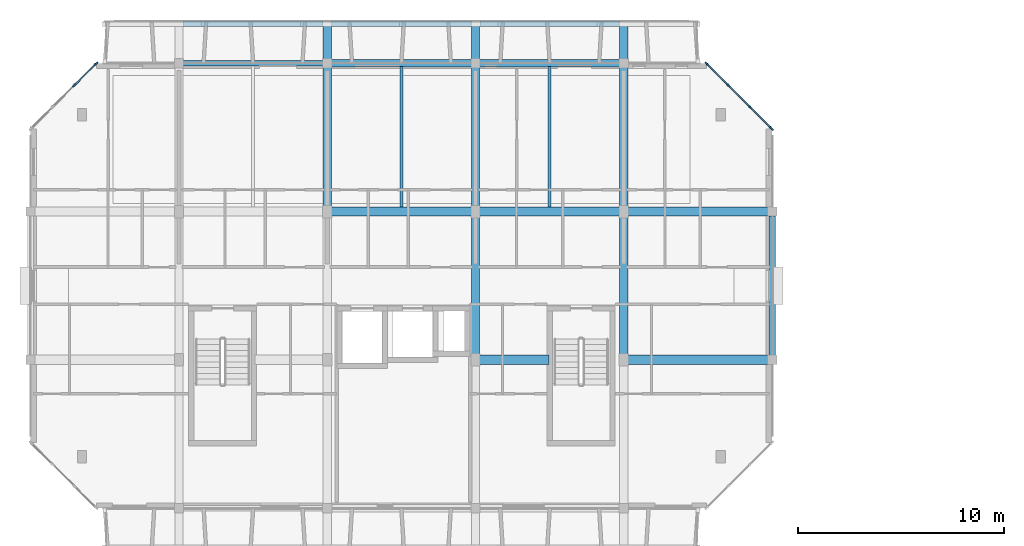
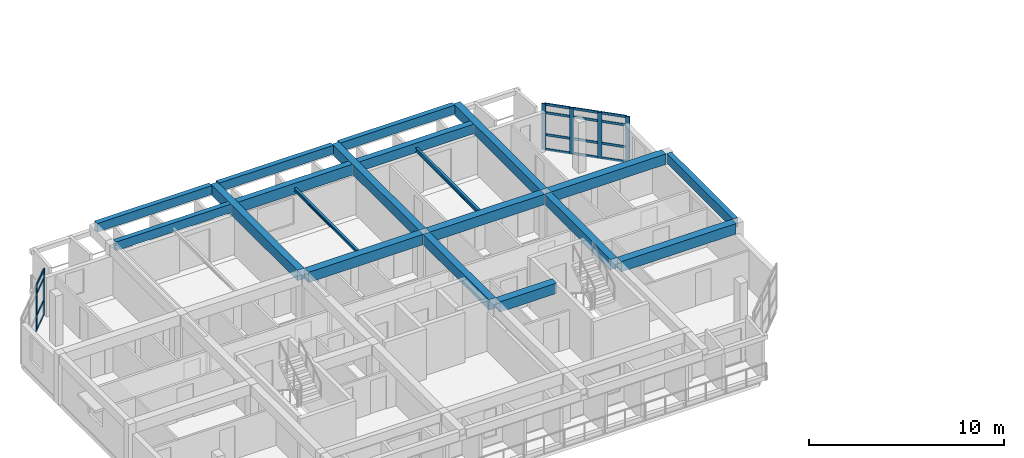
# One storey, part 9 of 43: 22 members, 19 beams, 2 elements without a shape of their own.
"""IFC4 building model written with IfcOpenShell, lengths in metres."""

from ifc_helpers import new_model, si_unit, direction, frame, origin, origin_2d, place, context, subcontext, project, spatial, rectangle, i_section, extrude, material, layer, layer_set, material_profile, profile_set, type_object, element, aggregate, save


model = new_model("IFC4")

# Units and contexts
model_context = context("Model", 3, precision=1e-05, world=origin(), true_north=direction((0.0, 1.0)))
body_context = subcontext(model_context, "Body", "Model", "MODEL_VIEW")
ifc_project = project(units=[si_unit("LENGTHUNIT", "METRE"), si_unit("AREAUNIT", "SQUARE_METRE"), si_unit("VOLUMEUNIT", "CUBIC_METRE"), si_unit("PLANEANGLEUNIT", "RADIAN"), si_unit("MASSUNIT", "GRAM", prefix="KILO")], contexts=[model_context])

# Site, building, storey
site_placement = place(None, origin())
site = spatial("IfcSite", under=ifc_project, at=site_placement, CompositionType="ELEMENT")
building_placement = place(site_placement, origin())
building = spatial("IfcBuilding", under=site, at=building_placement, Name="Ochrevale Crest", CompositionType="ELEMENT")
storey_placement = place(building_placement, frame((0.0, 0.0, 30.75)))
storey = spatial("IfcBuildingStorey", under=building, at=storey_placement, Name="L09", CompositionType="ELEMENT", Elevation=30.75)

# Beams
ifc_material_1 = material(Name="Precast concrete C50/60", Category="concrete")
ifc_material_profile_1 = material_profile(ifc_material_1, rectangle(XDim=0.39990234375, YDim=0.64990234375, at=origin_2d()), Name="PC 400x650")
ifc_profile_set_1 = profile_set([ifc_material_profile_1], Name="Precast concrete C50/60")
beam_type_1 = type_object("IfcBeamType", Name="BM-PC400x650", PredefinedType="BEAM", material=ifc_profile_set_1)
beam_1_placement = place(storey_placement, frame((14.39990234375, 86.60498046875, 2.824951171875), z_axis=(0.0, 1.0, 0.0), x_axis=(-1.0, 0.0, 0.0)))
element("IfcBeam", 1, at=beam_1_placement, inside=storey, type_object=beam_type_1, Name="Block B L09 N-S beam X=14.4", PredefinedType="BEAM", context=body_context, shape_type="SweptSolid", body=[
    extrude(rectangle(XDim=0.39990234375, YDim=0.64990234375, at=origin_2d()), origin(), (0.0, 0.0, 1.0), 8.9150390625),
])
beam_2_placement = place(storey_placement, frame((21.60009765625, 79.405029296875, 2.824951171875), z_axis=(0.0, 1.0, 0.0), x_axis=(-1.0, 0.0, 0.0)))
element("IfcBeam", 2, at=beam_2_placement, inside=storey, type_object=beam_type_1, Name="Block B L09 N-S beam X=21.6", PredefinedType="BEAM", context=body_context, shape_type="SweptSolid", body=[
    extrude(rectangle(XDim=0.39990234375, YDim=0.64990234375, at=origin_2d()), origin(), (0.0, 0.0, 1.0), 6.7900390625),
])
beam_3_placement = place(storey_placement, frame((21.60009765625, 86.60498046875, 2.824951171875), z_axis=(0.0, 1.0, 0.0), x_axis=(-1.0, 0.0, 0.0)))
element("IfcBeam", 3, at=beam_3_placement, inside=storey, type_object=beam_type_1, Name="Block B L09 N-S beam X=21.6", PredefinedType="BEAM", context=body_context, shape_type="SweptSolid", body=[
    extrude(rectangle(XDim=0.39990234375, YDim=0.64990234375, at=origin_2d()), origin(), (0.0, 0.0, 1.0), 8.9150390625),
])
beam_4_placement = place(storey_placement, frame((28.800048828125, 79.405029296875, 2.824951171875), z_axis=(0.0, 1.0, 0.0), x_axis=(-1.0, 0.0, 0.0)))
element("IfcBeam", 4, at=beam_4_placement, inside=storey, type_object=beam_type_1, Name="Block B L09 N-S beam X=28.8", PredefinedType="BEAM", context=body_context, shape_type="SweptSolid", body=[
    extrude(rectangle(XDim=0.39990234375, YDim=0.64990234375, at=origin_2d()), origin(), (0.0, 0.0, 1.0), 6.7900390625),
])
beam_5_placement = place(storey_placement, frame((28.800048828125, 86.60498046875, 2.824951171875), z_axis=(0.0, 1.0, 0.0), x_axis=(-1.0, 0.0, 0.0)))
element("IfcBeam", 5, at=beam_5_placement, inside=storey, type_object=beam_type_1, Name="Block B L09 N-S beam X=28.8", PredefinedType="BEAM", context=body_context, shape_type="SweptSolid", body=[
    extrude(rectangle(XDim=0.39990234375, YDim=0.64990234375, at=origin_2d()), origin(), (0.0, 0.0, 1.0), 8.9150390625),
])
ifc_material_2 = material(Name="Concrete C50/60", Category="concrete")
ifc_material_profile_2 = material_profile(ifc_material_2, rectangle(XDim=0.449951171875, YDim=0.64990234375, at=origin_2d()), Name="RC 450x650")
ifc_profile_set_2 = profile_set([ifc_material_profile_2], Name="Concrete C50/60")
beam_type_2 = type_object("IfcBeamType", Name="BM-PG450x650", PredefinedType="USERDEFINED", material=ifc_profile_set_2)
beam_6_placement = place(storey_placement, frame((21.800048828125, 79.199951171875, 2.824951171875), z_axis=(1.0, 0.0, 0.0), x_axis=(0.0, 1.0, 0.0)))
element("IfcBeam", 6, at=beam_6_placement, inside=storey, type_object=beam_type_2, Name="Block B L09 E-W beam Y=79.2", ObjectType="GIRDER", PredefinedType="USERDEFINED", context=body_context, shape_type="SweptSolid", body=[
    extrude(rectangle(XDim=0.449951171875, YDim=0.64990234375, at=origin_2d()), origin(), (0.0, 0.0, 1.0), 3.35986328125),
])
beam_7_placement = place(storey_placement, frame((29.0, 79.199951171875, 2.824951171875), z_axis=(1.0, 0.0, 0.0), x_axis=(0.0, 1.0, 0.0)))
element("IfcBeam", 7, at=beam_7_placement, inside=storey, type_object=beam_type_2, Name="Block B L09 E-W beam Y=79.2", ObjectType="GIRDER", PredefinedType="USERDEFINED", context=body_context, shape_type="SweptSolid", body=[
    extrude(rectangle(XDim=0.449951171875, YDim=0.64990234375, at=origin_2d()), origin(), (0.0, 0.0, 1.0), 6.800048828125),
])
beam_8_placement = place(storey_placement, frame((14.60009765625, 86.39990234375, 2.824951171875), z_axis=(1.0, 0.0, 0.0), x_axis=(0.0, 1.0, 0.0)))
element("IfcBeam", 8, at=beam_8_placement, inside=storey, type_object=beam_type_2, Name="Block B L09 E-W beam Y=86.4", ObjectType="GIRDER", PredefinedType="USERDEFINED", context=body_context, shape_type="SweptSolid", body=[
    extrude(rectangle(XDim=0.449951171875, YDim=0.64990234375, at=origin_2d()), origin(), (0.0, 0.0, 1.0), 6.7998046875),
])
for number, where, z_axis, x_axis, name in (
    (9, (21.800048828125, 86.39990234375, 2.824951171875), (1.0, 0.0, 0.0), (0.0, 1.0, 0.0), "Block B L09 E-W beam Y=86.4"),
    (10, (29.0, 86.39990234375, 2.824951171875), (1.0, 0.0, 0.0), (0.0, 1.0, 0.0), "Block B L09 E-W beam Y=86.4"),
):
    element("IfcBeam", number, at=place(storey_placement, frame(where, z_axis=z_axis, x_axis=x_axis)), inside=storey, type_object=beam_type_2, Name=name, ObjectType="GIRDER", PredefinedType="USERDEFINED", context=body_context, shape_type="SweptSolid", body=[
        extrude(rectangle(XDim=0.449951171875, YDim=0.64990234375, at=origin_2d()), origin(), (0.0, 0.0, 1.0), 6.800048828125),
    ])
ifc_material_3 = material(Name="Precast concrete C40/50", Category="concrete")
ifc_material_profile_3 = material_profile(ifc_material_3, rectangle(XDim=0.280029296875, YDim=0.550048828125, at=origin_2d()), Name="PC 280x550")
ifc_profile_set_3 = profile_set([ifc_material_profile_3], Name="Precast concrete C40/50")
beam_type_3 = type_object("IfcBeamType", Name="BM-SP280x550", PredefinedType="SPANDREL", material=ifc_profile_set_3)
beam_9_placement = place(storey_placement, frame((7.39990234375, 93.60009765625, 2.875), z_axis=(1.0, 0.0, 0.0), x_axis=(0.0, 1.0, 0.0)))
element("IfcBeam", 11, at=beam_9_placement, inside=storey, type_object=beam_type_3, Name="Block B L09 E-W beam Y=93.6", PredefinedType="SPANDREL", context=body_context, shape_type="SweptSolid", body=[
    extrude(rectangle(XDim=0.280029296875, YDim=0.550048828125, at=origin_2d()), origin(), (0.0, 0.0, 1.0), 6.800048828125),
])
for number, where, z_axis, x_axis, name in (
    (12, (7.405029296875, 95.52001953125, 2.875), (1.0, 0.0, 0.0), (0.0, 1.0, 0.0), "Block B L09 top-loggia precast ring lintel N-1"),
    (13, (14.60498046875, 95.52001953125, 2.875), (1.0, 0.0, 0.0), (0.0, 1.0, 0.0), "Block B L09 top-loggia precast ring lintel N-2"),
    (14, (21.804931640625, 95.52001953125, 2.875), (1.0, 0.0, 0.0), (0.0, 1.0, 0.0), "Block B L09 top-loggia precast ring lintel N-3"),
):
    element("IfcBeam", number, at=place(storey_placement, frame(where, z_axis=z_axis, x_axis=x_axis)), inside=storey, type_object=beam_type_3, Name=name, PredefinedType="SPANDREL", context=body_context, shape_type="SweptSolid", body=[
        extrude(rectangle(XDim=0.280029296875, YDim=0.550048828125, at=origin_2d()), origin(), (0.0, 0.0, 1.0), 6.7900390625),
    ])
ifc_material_profile_4 = material_profile(ifc_material_3, rectangle(XDim=0.300048828125, YDim=0.60009765625, at=origin_2d()), Name="PC 300x600")
ifc_profile_set_4 = profile_set([ifc_material_profile_4], Name="Precast concrete C40/50")
beam_type_4 = type_object("IfcBeamType", Name="BM-SP300x600", PredefinedType="SPANDREL", material=ifc_profile_set_4)
beam_10_placement = place(storey_placement, frame((36.0, 79.405029296875, 2.85009765625), z_axis=(0.0, 1.0, 0.0), x_axis=(-1.0, 0.0, 0.0)))
element("IfcBeam", 15, at=beam_10_placement, inside=storey, type_object=beam_type_4, Name="Block B L09 N-S beam X=36.0", PredefinedType="SPANDREL", context=body_context, shape_type="SweptSolid", body=[
    extrude(rectangle(XDim=0.300048828125, YDim=0.60009765625, at=origin_2d()), origin(), (0.0, 0.0, 1.0), 6.7900390625),
])
ifc_material_profile_5 = material_profile(ifc_material_3, rectangle(XDim=0.35009765625, YDim=0.60009765625, at=origin_2d()), Name="PC 350x600")
ifc_profile_set_5 = profile_set([ifc_material_profile_5], Name="Precast concrete C40/50")
beam_type_5 = type_object("IfcBeamType", Name="BM-SP350x600", PredefinedType="SPANDREL", material=ifc_profile_set_5)
beam_11_placement = place(storey_placement, frame((21.800048828125, 93.60009765625, 2.85009765625), z_axis=(1.0, 0.0, 0.0), x_axis=(0.0, 1.0, 0.0)))
element("IfcBeam", 16, at=beam_11_placement, inside=storey, type_object=beam_type_5, Name="Block B L09 E-W beam Y=93.6", PredefinedType="SPANDREL", context=body_context, shape_type="SweptSolid", body=[
    extrude(rectangle(XDim=0.35009765625, YDim=0.60009765625, at=origin_2d()), origin(), (0.0, 0.0, 1.0), 6.800048828125),
])
ifc_material_profile_6 = material_profile(ifc_material_3, rectangle(XDim=0.35009765625, YDim=0.679931640625, at=origin_2d()), Name="PC 350x680")
ifc_profile_set_6 = profile_set([ifc_material_profile_6], Name="Precast concrete C40/50")
beam_type_6 = type_object("IfcBeamType", Name="BM-SP350x680", PredefinedType="SPANDREL", material=ifc_profile_set_6)
beam_12_placement = place(storey_placement, frame((14.60009765625, 93.60009765625, 2.81005859375), z_axis=(1.0, 0.0, 0.0), x_axis=(0.0, 1.0, 0.0)))
element("IfcBeam", 17, at=beam_12_placement, inside=storey, type_object=beam_type_6, Name="Block B L09 E-W beam Y=93.6", PredefinedType="SPANDREL", context=body_context, shape_type="SweptSolid", body=[
    extrude(rectangle(XDim=0.35009765625, YDim=0.679931640625, at=origin_2d()), origin(), (0.0, 0.0, 1.0), 6.7998046875),
])
ifc_material_4 = material(Name="Steel S355", Category="steel")
ifc_material_profile_7 = material_profile(ifc_material_4, i_section(OverallWidth=0.134033203125, OverallDepth=0.20703125, WebThickness=0.00634765625, FlangeThickness=0.009521484375, FilletRadius=0.0087890625, at=origin_2d()), Name="200UB29.8")
ifc_profile_set_7 = profile_set([ifc_material_profile_7], Name="Steel S355")
beam_type_7 = type_object("IfcBeamType", Name="BM-UB200B", PredefinedType="JOIST", material=ifc_profile_set_7)
beam_13_placement = place(storey_placement, frame((18.0, 86.613037109375, 2.771484375), z_axis=(0.0, 1.0, 0.0), x_axis=(-1.0, 0.0, 0.0)))
element("IfcBeam", 18, at=beam_13_placement, inside=storey, type_object=beam_type_7, Name="Block B L09 composite plank trimmer beam 3", PredefinedType="JOIST", context=body_context, shape_type="SweptSolid", body=[
    extrude(i_section(OverallWidth=0.134033203125, OverallDepth=0.20703125, WebThickness=0.00634765625, FlangeThickness=0.009521484375, FilletRadius=0.0087890625, at=origin_2d()), origin(), (0.0, 0.0, 1.0), 6.823974609375),
])
ifc_material_profile_8 = material_profile(ifc_material_4, i_section(OverallWidth=0.14599609375, OverallDepth=0.251708984375, WebThickness=0.006103515625, FlangeThickness=0.008544921875, FilletRadius=0.0087890625, at=origin_2d()), Name="250UB31.4")
ifc_profile_set_8 = profile_set([ifc_material_profile_8], Name="Steel S355")
beam_type_8 = type_object("IfcBeamType", Name="BM-UB250A", PredefinedType="JOIST", material=ifc_profile_set_8)
beam_14_placement = place(storey_placement, frame((25.199951171875, 86.613037109375, 2.749267578125), z_axis=(0.0, 1.0, 0.0), x_axis=(-1.0, 0.0, 0.0)))
element("IfcBeam", 19, at=beam_14_placement, inside=storey, type_object=beam_type_8, Name="Block B L09 composite plank trimmer beam 4", PredefinedType="JOIST", context=body_context, shape_type="SweptSolid", body=[
    extrude(i_section(OverallWidth=0.14599609375, OverallDepth=0.251708984375, WebThickness=0.006103515625, FlangeThickness=0.008544921875, FilletRadius=0.0087890625, at=origin_2d()), origin(), (0.0, 0.0, 1.0), 6.823974609375),
])

# Curtain wall, members
ifc_material_5 = material(Name="Anodised aluminium 6063-T5", Category="aluminium")
ifc_layer_1 = layer(ifc_material_5, 0.14990234375)
ifc_layer_set_1 = layer_set([ifc_layer_1], Name="Anodised aluminium 6063-T5")
curtain_wall_type_1 = type_object("IfcCurtainWallType", Name="CW-WG-360x285", PredefinedType="NOTDEFINED", material=ifc_layer_set_1)
curtain_wall_1_placement = place(storey_placement, origin())
curtain_wall_1 = element("IfcCurtainWall", 20, at=curtain_wall_1_placement, inside=storey, type_object=curtain_wall_type_1, Name="Block B L09 chamfered corner wintergarden curtain wall 4", PredefinedType="NOTDEFINED")
ifc_material_profile_9 = material_profile(ifc_material_5, rectangle(XDim=0.074951171875, YDim=0.219970703125, at=origin_2d()), Name="ALU 75x220")
ifc_profile_set_9 = profile_set([ifc_material_profile_9], Name="Anodised aluminium 6063-T5")
member_type_1 = type_object("IfcMemberType", Name="CW-MUL-75x220", PredefinedType="MULLION", material=ifc_profile_set_9)
member_1_placement = place(storey_placement, frame((35.973388671875, 90.426513671875, 0.0), z_axis=(0.0, 0.0, 1.0), x_axis=(-0.707106781187, -0.707106781187, 0.0)))
member_1 = element("IfcMember", 21, at=member_1_placement, type_object=member_type_1, Name="CW18 mullion 1", PredefinedType="MULLION", context=body_context, shape_type="SweptSolid", body=[
    extrude(rectangle(XDim=0.074951171875, YDim=0.219970703125, at=origin_2d()), origin(), (0.0, 0.0, 1.0), 2.875),
])
member_2_placement = place(storey_placement, frame((34.933349609375, 91.466552734375, 0.0), z_axis=(0.0, 0.0, 1.0), x_axis=(-0.707106781187, -0.707106781187, 0.0)))
member_2 = element("IfcMember", 22, at=member_2_placement, type_object=member_type_1, Name="CW18 mullion 2", PredefinedType="MULLION", context=body_context, shape_type="SweptSolid", body=[
    extrude(rectangle(XDim=0.074951171875, YDim=0.219970703125, at=origin_2d()), origin(), (0.0, 0.0, 1.0), 2.875),
])
member_3_placement = place(storey_placement, frame((33.86669921875, 92.533447265625, 0.0), z_axis=(0.0, 0.0, 1.0), x_axis=(-0.707106781187, -0.707106781187, 0.0)))
member_3 = element("IfcMember", 23, at=member_3_placement, type_object=member_type_1, Name="CW18 mullion 3", PredefinedType="MULLION", context=body_context, shape_type="SweptSolid", body=[
    extrude(rectangle(XDim=0.074951171875, YDim=0.219970703125, at=origin_2d()), origin(), (0.0, 0.0, 1.0), 2.875),
])
member_4_placement = place(storey_placement, frame((32.826416015625, 93.573486328125, 0.0), z_axis=(0.0, 0.0, 1.0), x_axis=(-0.707106781187, -0.707106781187, 0.0)))
member_4 = element("IfcMember", 24, at=member_4_placement, type_object=member_type_1, Name="CW18 mullion 4", PredefinedType="MULLION", context=body_context, shape_type="SweptSolid", body=[
    extrude(rectangle(XDim=0.074951171875, YDim=0.219970703125, at=origin_2d()), origin(), (0.0, 0.0, 1.0), 2.875),
])

ifc_layer_2 = layer(ifc_material_5, 0.14990234375)
ifc_layer_set_2 = layer_set([ifc_layer_2], Name="Anodised aluminium 6063-T5")
curtain_wall_type_2 = type_object("IfcCurtainWallType", Name="CW-WG-240x285", PredefinedType="NOTDEFINED", material=ifc_layer_set_2)
curtain_wall_2_placement = place(storey_placement, origin())
curtain_wall_2 = element("IfcCurtainWall", 25, at=curtain_wall_2_placement, inside=storey, type_object=curtain_wall_type_2, Name="Block B L09 chamfered corner wintergarden curtain wall 6", PredefinedType="NOTDEFINED")
member_5_placement = place(storey_placement, frame((3.173583984375, 93.573486328125, 0.0), z_axis=(0.0, 0.0, 1.0), x_axis=(0.707106781187, -0.707106781187, 0.0)))
member_5 = element("IfcMember", 26, at=member_5_placement, type_object=member_type_1, Name="CW15 mullion 1", PredefinedType="MULLION", context=body_context, shape_type="SweptSolid", body=[
    extrude(rectangle(XDim=0.074951171875, YDim=0.219970703125, at=origin_2d()), origin(), (0.0, 0.0, 1.0), 2.875),
])
member_6_placement = place(storey_placement, frame((2.13330078125, 92.533447265625, 0.0), z_axis=(0.0, 0.0, 1.0), x_axis=(0.707106781187, -0.707106781187, 0.0)))
member_6 = element("IfcMember", 27, at=member_6_placement, type_object=member_type_1, Name="CW15 mullion 2", PredefinedType="MULLION", context=body_context, shape_type="SweptSolid", body=[
    extrude(rectangle(XDim=0.074951171875, YDim=0.219970703125, at=origin_2d()), origin(), (0.0, 0.0, 1.0), 2.875),
])

# Member
ifc_material_profile_10 = material_profile(ifc_material_5, rectangle(XDim=0.06005859375, YDim=0.14990234375, at=origin_2d()), Name="ALU 60x150")
ifc_profile_set_10 = profile_set([ifc_material_profile_10], Name="Anodised aluminium 6063-T5")
member_type_2 = type_object("IfcMemberType", Name="CW-TRN-60x150", PredefinedType="USERDEFINED", material=ifc_profile_set_10)
member_7_placement = place(storey_placement, frame((35.947021484375, 90.453125, 0.030029296875), z_axis=(-0.707106781187, 0.707106781187, 0.0), x_axis=(-0.707106781187, -0.707106781187, 0.0)))
member_7 = element("IfcMember", 28, at=member_7_placement, type_object=member_type_2, Name="CW18 transom 1.1", ObjectType="TRANSOM", PredefinedType="USERDEFINED", context=body_context, shape_type="SweptSolid", body=[
    extrude(rectangle(XDim=0.06005859375, YDim=0.14990234375, at=origin_2d()), origin(), (0.0, 0.0, 1.0), 1.39599609375),
])

member_8_placement = place(storey_placement, frame((35.947021484375, 90.453125, 0.949951171875), z_axis=(-0.707106781187, 0.707106781187, 0.0), x_axis=(-0.707106781187, -0.707106781187, 0.0)))
member_8 = element("IfcMember", 29, at=member_8_placement, type_object=member_type_2, Name="CW18 transom 1.2", ObjectType="TRANSOM", PredefinedType="USERDEFINED", context=body_context, shape_type="SweptSolid", body=[
    extrude(rectangle(XDim=0.06005859375, YDim=0.14990234375, at=origin_2d()), origin(), (0.0, 0.0, 1.0), 1.39599609375),
])

member_9_placement = place(storey_placement, frame((35.947021484375, 90.453125, 2.324951171875), z_axis=(-0.707106781187, 0.707106781187, 0.0), x_axis=(-0.707106781187, -0.707106781187, 0.0)))
member_9 = element("IfcMember", 30, at=member_9_placement, type_object=member_type_2, Name="CW18 transom 1.3", ObjectType="TRANSOM", PredefinedType="USERDEFINED", context=body_context, shape_type="SweptSolid", body=[
    extrude(rectangle(XDim=0.06005859375, YDim=0.14990234375, at=origin_2d()), origin(), (0.0, 0.0, 1.0), 1.39599609375),
])

member_10_placement = place(storey_placement, frame((35.947021484375, 90.453125, 2.844970703125), z_axis=(-0.707106781187, 0.707106781187, 0.0), x_axis=(-0.707106781187, -0.707106781187, 0.0)))
member_10 = element("IfcMember", 31, at=member_10_placement, type_object=member_type_2, Name="CW18 transom 1.4", ObjectType="TRANSOM", PredefinedType="USERDEFINED", context=body_context, shape_type="SweptSolid", body=[
    extrude(rectangle(XDim=0.06005859375, YDim=0.14990234375, at=origin_2d()), origin(), (0.0, 0.0, 1.0), 1.39599609375),
])

member_11_placement = place(storey_placement, frame((34.90673828125, 91.4931640625, 0.030029296875), z_axis=(-0.707106781187, 0.707106781187, 0.0), x_axis=(-0.707106781187, -0.707106781187, 0.0)))
member_11 = element("IfcMember", 32, at=member_11_placement, type_object=member_type_2, Name="CW18 transom 2.1", ObjectType="TRANSOM", PredefinedType="USERDEFINED", context=body_context, shape_type="SweptSolid", body=[
    extrude(rectangle(XDim=0.06005859375, YDim=0.14990234375, at=origin_2d()), origin(), (0.0, 0.0, 1.0), 1.43359375),
])

member_12_placement = place(storey_placement, frame((34.90673828125, 91.4931640625, 0.949951171875), z_axis=(-0.707106781187, 0.707106781187, 0.0), x_axis=(-0.707106781187, -0.707106781187, 0.0)))
member_12 = element("IfcMember", 33, at=member_12_placement, type_object=member_type_2, Name="CW18 transom 2.2", ObjectType="TRANSOM", PredefinedType="USERDEFINED", context=body_context, shape_type="SweptSolid", body=[
    extrude(rectangle(XDim=0.06005859375, YDim=0.14990234375, at=origin_2d()), origin(), (0.0, 0.0, 1.0), 1.43359375),
])

member_13_placement = place(storey_placement, frame((34.90673828125, 91.4931640625, 2.324951171875), z_axis=(-0.707106781187, 0.707106781187, 0.0), x_axis=(-0.707106781187, -0.707106781187, 0.0)))
member_13 = element("IfcMember", 34, at=member_13_placement, type_object=member_type_2, Name="CW18 transom 2.3", ObjectType="TRANSOM", PredefinedType="USERDEFINED", context=body_context, shape_type="SweptSolid", body=[
    extrude(rectangle(XDim=0.06005859375, YDim=0.14990234375, at=origin_2d()), origin(), (0.0, 0.0, 1.0), 1.43359375),
])

member_14_placement = place(storey_placement, frame((34.90673828125, 91.4931640625, 2.844970703125), z_axis=(-0.707106781187, 0.707106781187, 0.0), x_axis=(-0.707106781187, -0.707106781187, 0.0)))
member_14 = element("IfcMember", 35, at=member_14_placement, type_object=member_type_2, Name="CW18 transom 2.4", ObjectType="TRANSOM", PredefinedType="USERDEFINED", context=body_context, shape_type="SweptSolid", body=[
    extrude(rectangle(XDim=0.06005859375, YDim=0.14990234375, at=origin_2d()), origin(), (0.0, 0.0, 1.0), 1.43359375),
])

member_15_placement = place(storey_placement, frame((33.840087890625, 92.559814453125, 0.030029296875), z_axis=(-0.707106781187, 0.707106781187, 0.0), x_axis=(-0.707106781187, -0.707106781187, 0.0)))
member_15 = element("IfcMember", 36, at=member_15_placement, type_object=member_type_2, Name="CW18 transom 3.1", ObjectType="TRANSOM", PredefinedType="USERDEFINED", context=body_context, shape_type="SweptSolid", body=[
    extrude(rectangle(XDim=0.06005859375, YDim=0.14990234375, at=origin_2d()), origin(), (0.0, 0.0, 1.0), 1.39599609375),
])

member_16_placement = place(storey_placement, frame((33.840087890625, 92.559814453125, 0.949951171875), z_axis=(-0.707106781187, 0.707106781187, 0.0), x_axis=(-0.707106781187, -0.707106781187, 0.0)))
member_16 = element("IfcMember", 37, at=member_16_placement, type_object=member_type_2, Name="CW18 transom 3.2", ObjectType="TRANSOM", PredefinedType="USERDEFINED", context=body_context, shape_type="SweptSolid", body=[
    extrude(rectangle(XDim=0.06005859375, YDim=0.14990234375, at=origin_2d()), origin(), (0.0, 0.0, 1.0), 1.39599609375),
])

member_17_placement = place(storey_placement, frame((33.840087890625, 92.559814453125, 2.324951171875), z_axis=(-0.707106781187, 0.707106781187, 0.0), x_axis=(-0.707106781187, -0.707106781187, 0.0)))
member_17 = element("IfcMember", 38, at=member_17_placement, type_object=member_type_2, Name="CW18 transom 3.3", ObjectType="TRANSOM", PredefinedType="USERDEFINED", context=body_context, shape_type="SweptSolid", body=[
    extrude(rectangle(XDim=0.06005859375, YDim=0.14990234375, at=origin_2d()), origin(), (0.0, 0.0, 1.0), 1.39599609375),
])

member_18_placement = place(storey_placement, frame((33.840087890625, 92.559814453125, 2.844970703125), z_axis=(-0.707106781187, 0.707106781187, 0.0), x_axis=(-0.707106781187, -0.707106781187, 0.0)))
member_18 = element("IfcMember", 39, at=member_18_placement, type_object=member_type_2, Name="CW18 transom 3.4", ObjectType="TRANSOM", PredefinedType="USERDEFINED", context=body_context, shape_type="SweptSolid", body=[
    extrude(rectangle(XDim=0.06005859375, YDim=0.14990234375, at=origin_2d()), origin(), (0.0, 0.0, 1.0), 1.39599609375),
])

aggregate(curtain_wall_1, [member_1, member_2, member_3, member_4, member_7, member_8, member_9, member_10, member_11, member_12, member_13, member_14, member_15, member_16, member_17, member_18])

member_19_placement = place(storey_placement, frame((3.14697265625, 93.546875, 0.030029296875), z_axis=(-0.707106781187, -0.707106781187, 0.0), x_axis=(0.707106781187, -0.707106781187, 0.0)))
member_19 = element("IfcMember", 40, at=member_19_placement, type_object=member_type_2, Name="CW15 transom 1.1", ObjectType="TRANSOM", PredefinedType="USERDEFINED", context=body_context, shape_type="SweptSolid", body=[
    extrude(rectangle(XDim=0.06005859375, YDim=0.14990234375, at=origin_2d()), origin(), (0.0, 0.0, 1.0), 1.39599609375),
])

member_20_placement = place(storey_placement, frame((3.14697265625, 93.546875, 0.949951171875), z_axis=(-0.707106781187, -0.707106781187, 0.0), x_axis=(0.707106781187, -0.707106781187, 0.0)))
member_20 = element("IfcMember", 41, at=member_20_placement, type_object=member_type_2, Name="CW15 transom 1.2", ObjectType="TRANSOM", PredefinedType="USERDEFINED", context=body_context, shape_type="SweptSolid", body=[
    extrude(rectangle(XDim=0.06005859375, YDim=0.14990234375, at=origin_2d()), origin(), (0.0, 0.0, 1.0), 1.39599609375),
])

member_21_placement = place(storey_placement, frame((3.14697265625, 93.546875, 2.324951171875), z_axis=(-0.707106781187, -0.707106781187, 0.0), x_axis=(0.707106781187, -0.707106781187, 0.0)))
member_21 = element("IfcMember", 42, at=member_21_placement, type_object=member_type_2, Name="CW15 transom 1.3", ObjectType="TRANSOM", PredefinedType="USERDEFINED", context=body_context, shape_type="SweptSolid", body=[
    extrude(rectangle(XDim=0.06005859375, YDim=0.14990234375, at=origin_2d()), origin(), (0.0, 0.0, 1.0), 1.39599609375),
])

member_22_placement = place(storey_placement, frame((3.14697265625, 93.546875, 2.844970703125), z_axis=(-0.707106781187, -0.707106781187, 0.0), x_axis=(0.707106781187, -0.707106781187, 0.0)))
member_22 = element("IfcMember", 43, at=member_22_placement, type_object=member_type_2, Name="CW15 transom 1.4", ObjectType="TRANSOM", PredefinedType="USERDEFINED", context=body_context, shape_type="SweptSolid", body=[
    extrude(rectangle(XDim=0.06005859375, YDim=0.14990234375, at=origin_2d()), origin(), (0.0, 0.0, 1.0), 1.39599609375),
])

aggregate(curtain_wall_2, [member_5, member_6, member_19, member_20, member_21, member_22])

save(model, "model.ifc")
